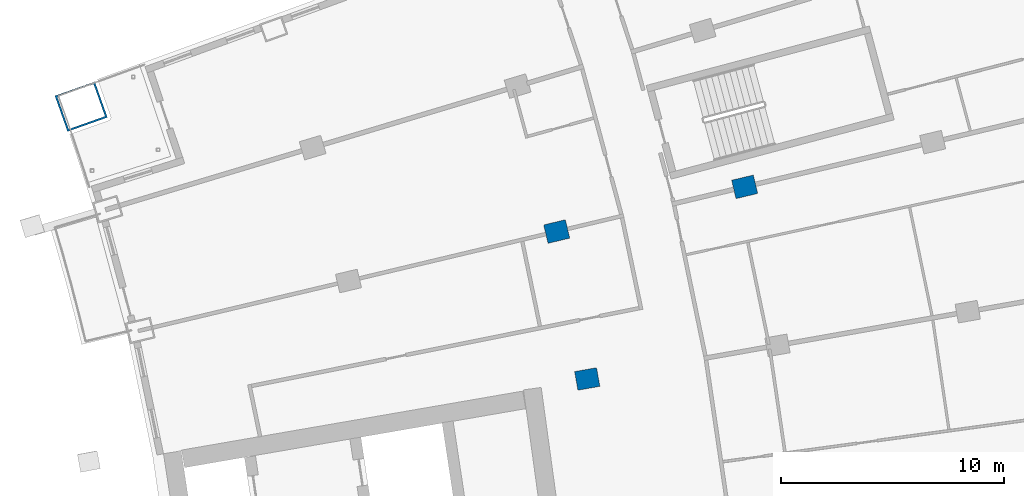
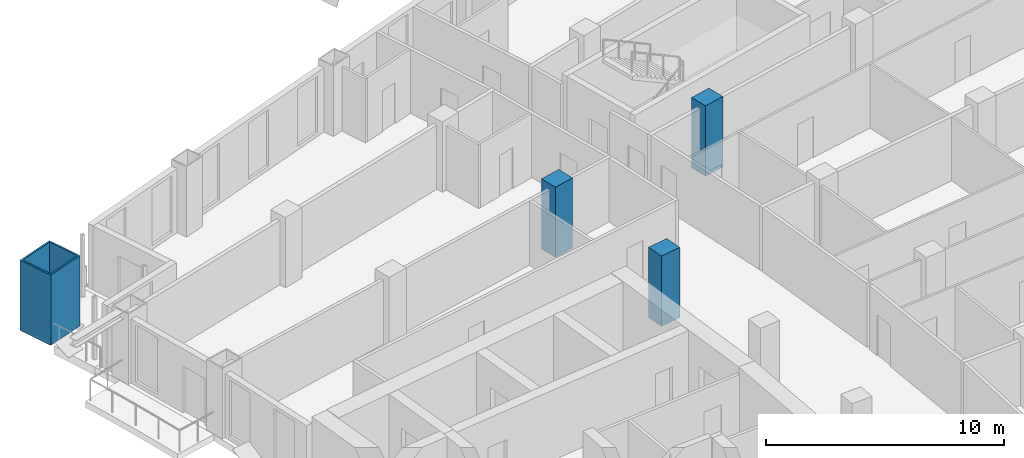
# One storey, part 8 of 25: 4 columns.
"""IFC4 building model written with IfcOpenShell, lengths in metres."""

from ifc_helpers import new_model, si_unit, direction, frame, origin, origin_2d, place, context, subcontext, project, spatial, rectangle, hollow_rectangle, extrude, material, material_profile, profile_set, type_object, element, save


model = new_model("IFC4")

# Units and contexts
model_context = context("Model", 3, precision=1e-05, world=origin(), true_north=direction((0.0, 1.0)))
body_context = subcontext(model_context, "Body", "Model", "MODEL_VIEW")
ifc_project = project(units=[si_unit("LENGTHUNIT", "METRE"), si_unit("AREAUNIT", "SQUARE_METRE"), si_unit("VOLUMEUNIT", "CUBIC_METRE"), si_unit("PLANEANGLEUNIT", "RADIAN"), si_unit("MASSUNIT", "GRAM", prefix="KILO")], contexts=[model_context])

# Site, building, storey
site_placement = place(None, origin())
site = spatial("IfcSite", under=ifc_project, at=site_placement, CompositionType="ELEMENT")
building_placement = place(site_placement, origin())
building = spatial("IfcBuilding", under=site, at=building_placement, Name="Alderwake Tower", CompositionType="ELEMENT")
storey_placement = place(building_placement, frame((0.0, 0.0, 89.60009765625)))
storey = spatial("IfcBuildingStorey", under=building, at=storey_placement, Name="L21", CompositionType="ELEMENT", Elevation=89.60009765625)

# Columns
ifc_material_1 = material(Name="Concrete C70/85", Category="concrete")
ifc_material_profile_1 = material_profile(ifc_material_1, rectangle(XDim=0.85009765625, YDim=1.0, at=origin_2d()), Name="RC 1000X850")
ifc_profile_set_1 = profile_set([ifc_material_profile_1], Name="Concrete C70/85")
column_type_1 = type_object("IfcColumnType", Name="Interior column Z2", PredefinedType="COLUMN", material=ifc_profile_set_1)
for number, where, z_axis, x_axis, name in (
    (1, (34.03125, 81.16162109375, 0.0), (0.0, 0.0, 1.0), (-0.174108800747, 0.984726421654, 0.0), "Column R10-C2"),
    (2, (32.661865234375, 87.775390625, 0.0), (0.0, 0.0, 1.0), (-0.231221547198, 0.972901123502, 0.0), "Column R11-C2"),
    (3, (41.09375, 89.779296875, 0.0), (0.0, 0.0, 1.0), (-0.231221547198, 0.972901123502, 0.0), "Column R11-C3"),
):
    element("IfcColumn", number, at=place(storey_placement, frame(where, z_axis=z_axis, x_axis=x_axis)), inside=storey, type_object=column_type_1, Name=name, PredefinedType="COLUMN", context=body_context, shape_type="SweptSolid", body=[
        extrude(rectangle(XDim=0.85009765625, YDim=1.0, at=origin_2d()), origin(), (0.0, 0.0, 1.0), 3.599853515625),
    ])
ifc_material_2 = material(Name="Steel ASTM A572 Grade 50 concrete filled C70/85", Category="concrete")
ifc_material_profile_2 = material_profile(ifc_material_2, hollow_rectangle(XDim=1.699951171875, YDim=1.89990234375, WallThickness=0.0849609375, at=origin_2d()), Name="BOX 1900X1700X85")
ifc_profile_set_2 = profile_set([ifc_material_profile_2], Name="Steel ASTM A572 Grade 50 concrete filled C70/85")
column_type_2 = type_object("IfcColumnType", Name="Mega column Z2", PredefinedType="COLUMN", material=ifc_profile_set_2)
column_placement = place(storey_placement, frame((11.330810546875, 93.377197265625, 0.0), z_axis=(0.0, 0.0, 1.0), x_axis=(-0.334130947791, 0.942526662609, 0.0)))
element("IfcColumn", 4, at=column_placement, inside=storey, type_object=column_type_2, Name="Column R13-C0", PredefinedType="COLUMN", context=body_context, shape_type="SweptSolid", body=[
    extrude(hollow_rectangle(XDim=1.699951171875, YDim=1.89990234375, WallThickness=0.0849609375, at=origin_2d()), origin(), (0.0, 0.0, 1.0), 3.599853515625),
])

save(model, "model.ifc")
